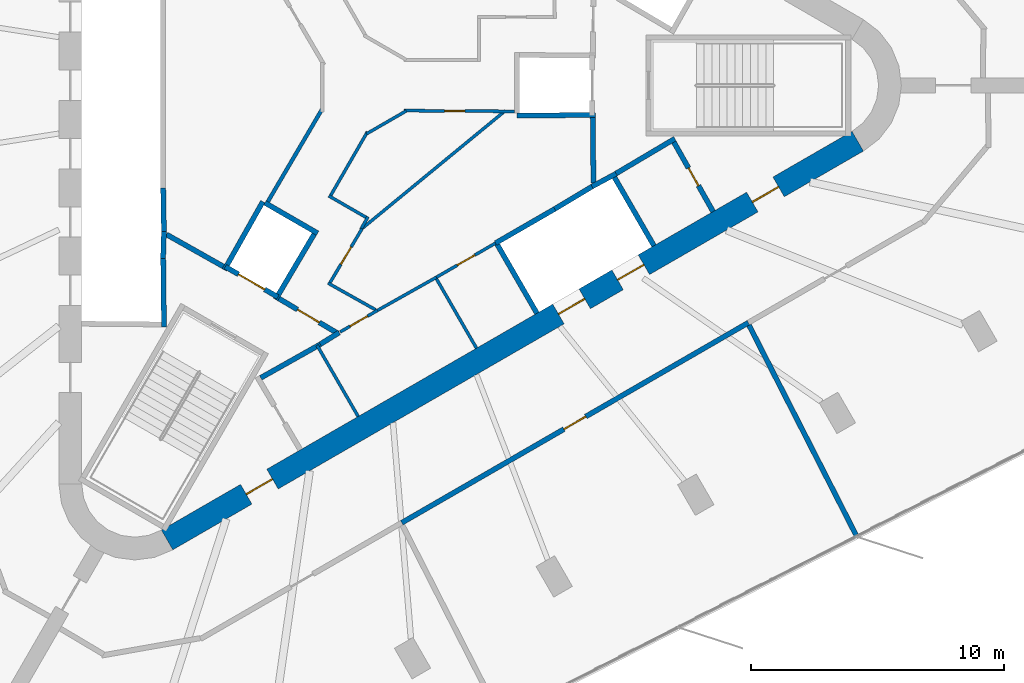
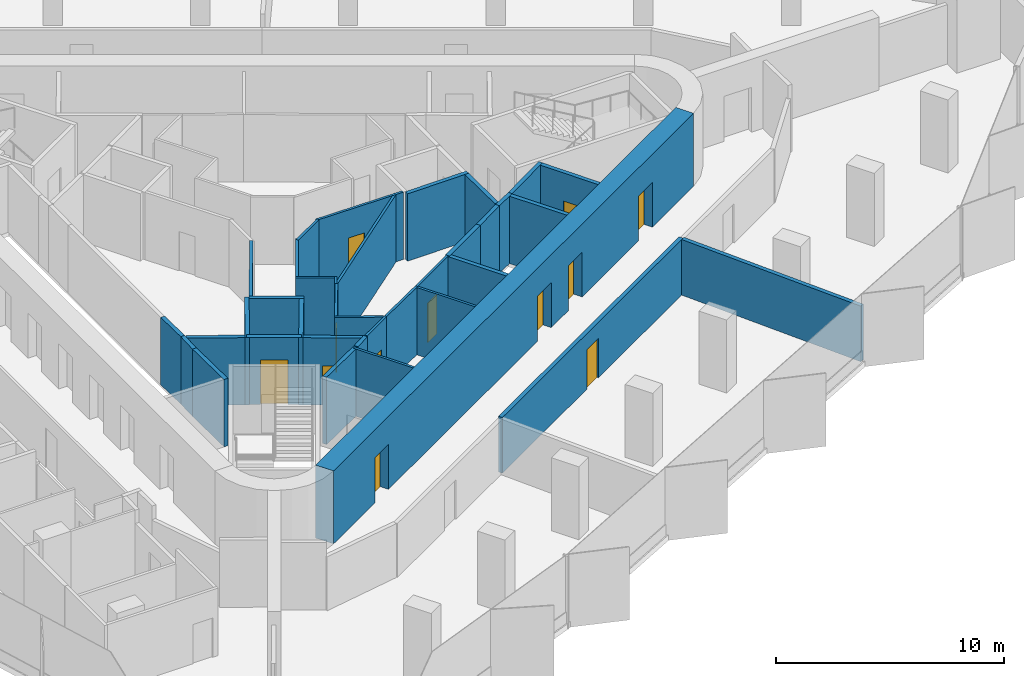
# One storey, part 9 of 13: 37 walls, 12 doors, 12 openings.
"""IFC4 building model written with IfcOpenShell, lengths in metres."""

import ifcopenshell
import ifcopenshell.guid

model = None  # the IFC model being written
_history = None  # IfcOwnerHistory: only IFC2X3 demands one
_inside = {}  # id of a spatial element -> (the spatial element, [elements in it])
_under = {}  # id of a project, library or spatial element -> (it, [spatial elements below it])
_declared = {}  # id of a project -> (the project, [libraries it declares])
_typed = {}  # id of a type object -> (the type object, [elements of that type])
_made_of = {}  # id of a material, layer set ... -> (it, [elements and type objects made of it])


def new_model(schema):
    """Start an empty IFC model of exactly this schema.

    Asked for "IFC4X3", IfcOpenShell would pick the latest addendum, in which some entities
    have other attributes; the version numbers below select the first issue.
    IFC2X3 requires an IfcOwnerHistory on every rooted entity: one is made here for all.
    """
    global model, _history
    if schema == "IFC4X3":
        model = ifcopenshell.file(schema_version=(4, 3, 0, 0))
    else:
        model = ifcopenshell.file(schema=schema)
    _inside.clear()
    _under.clear()
    _declared.clear()
    _typed.clear()
    _made_of.clear()
    _history = None
    if model.schema == "IFC2X3":
        org = make("IfcOrganization", Name="unknown")
        user = make(
            "IfcPersonAndOrganization",
            ThePerson=make("IfcPerson", FamilyName="unknown"),
            TheOrganization=org,
        )
        app = make(
            "IfcApplication",
            ApplicationDeveloper=org,
            Version="unknown",
            ApplicationFullName="unknown",
            ApplicationIdentifier="unknown",
        )
        _history = make(
            "IfcOwnerHistory",
            OwningUser=user,
            OwningApplication=app,
            ChangeAction="ADDED",
            CreationDate=0,
        )
    return model


def make(cls, **values):
    """One entity of the class cls with the attributes given. An attribute that is None is left unset."""
    return model.create_entity(
        cls, **{name: value for name, value in values.items() if value is not None}
    )


def rooted(cls, **values):
    """An entity with a GlobalId (a new one), such as an element, a storey or a relation."""
    return make(cls, GlobalId=ifcopenshell.guid.new(), OwnerHistory=_history, **values)


def si_unit(unit_type, name, prefix=None):
    """IfcSIUnit, for example si_unit("LENGTHUNIT", "METRE", prefix="MILLI")."""
    return make("IfcSIUnit", UnitType=unit_type, Prefix=prefix, Name=name)


def assignment(units):
    """IfcUnitAssignment: the units of a project."""
    return None if units is None else make("IfcUnitAssignment", Units=units)


def point(xyz):
    """IfcCartesianPoint."""
    return None if xyz is None else make("IfcCartesianPoint", Coordinates=xyz)


def direction(xyz):
    """IfcDirection."""
    return None if xyz is None else make("IfcDirection", DirectionRatios=xyz)


def frame(location, z_axis=None, x_axis=None):
    """IfcAxis2Placement3D, a coordinate frame: its origin and axes. An axis left out is left unset."""
    return make(
        "IfcAxis2Placement3D",
        Location=point(location),
        Axis=direction(z_axis),
        RefDirection=direction(x_axis),
    )


def frame_2d(location, x_axis=None):
    """IfcAxis2Placement2D, a coordinate frame in the plane: its origin and x axis."""
    return make(
        "IfcAxis2Placement2D", Location=point(location), RefDirection=direction(x_axis)
    )


def origin():
    """The frame at (0, 0, 0) with its axes left unset."""
    return frame((0.0, 0.0, 0.0))


def place(relative_to, where):
    """IfcLocalPlacement: puts the frame where relative to a parent placement (None: the world)."""
    return make(
        "IfcLocalPlacement", PlacementRelTo=relative_to, RelativePlacement=where
    )


def context(
    kind, dimensions, precision=None, world=None, true_north=None, identifier=None
):
    """IfcGeometricRepresentationContext, for example the 3D "Model" context."""
    return make(
        "IfcGeometricRepresentationContext",
        ContextIdentifier=identifier,
        ContextType=kind,
        CoordinateSpaceDimension=dimensions,
        Precision=precision,
        WorldCoordinateSystem=world,
        TrueNorth=true_north,
    )


def subcontext(parent, identifier, kind, view, scale=None):
    """IfcGeometricRepresentationSubContext, for example "Body" below "Model"."""
    return make(
        "IfcGeometricRepresentationSubContext",
        ContextIdentifier=identifier,
        ContextType=kind,
        ParentContext=parent,
        TargetScale=scale,
        TargetView=view,
    )


def project(units=None, contexts=None):
    """IfcProject with its units and contexts."""
    return rooted(
        "IfcProject",
        Name="project",
        RepresentationContexts=contexts,
        UnitsInContext=assignment(units),
    )


def spatial(cls, under=None, at=None, **own):
    """A site, building, storey or space (cls), placed at a placement, below another one or the project."""
    s = rooted(cls, ObjectPlacement=at, **own)
    if under is not None:
        _under.setdefault(under.id(), (under, []))[1].append(s)
    return s


def profile(cls, at=None, kind="AREA", **sizes):
    """A parametric profile (cls). Its sizes go by their IFC names, for example OverallWidth=200.0."""
    return make(cls, ProfileType=kind, Position=at, **sizes)


def rectangle(**sizes):
    """IfcRectangleProfileDef."""
    return profile("IfcRectangleProfileDef", **sizes)


def extrude(swept, where, along, depth):
    """IfcExtrudedAreaSolid: the profile swept, set in the frame where, extruded along a direction by depth."""
    return make(
        "IfcExtrudedAreaSolid",
        SweptArea=swept,
        Position=where,
        ExtrudedDirection=direction(along),
        Depth=depth,
    )


def shape(context_of_items, identifier, shape_type, items):
    """IfcShapeRepresentation: the items that make up one representation, for example the "Body"."""
    return make(
        "IfcShapeRepresentation",
        ContextOfItems=context_of_items,
        RepresentationIdentifier=identifier,
        RepresentationType=shape_type,
        Items=items,
    )


def material(Name=None, Category=None):
    """IfcMaterial."""
    return make("IfcMaterial", Name=Name, Category=Category)


def layer(
    of_material, thickness, ventilated=None, Name=None, Category=None, Priority=None
):
    """IfcMaterialLayer: one layer of a wall or slab, of a material (None: an air gap)."""
    return make(
        "IfcMaterialLayer",
        Material=of_material,
        LayerThickness=thickness,
        IsVentilated=ventilated,
        Name=Name,
        Category=Category,
        Priority=Priority,
    )


def layer_set(layers, Name=None):
    """IfcMaterialLayerSet."""
    return make("IfcMaterialLayerSet", MaterialLayers=layers, LayerSetName=Name)


def made_of(thing, what):
    """Note that an element or type object is made of a material, layer set ...; save() writes the relation."""
    if what is not None:
        _made_of.setdefault(what.id(), (what, []))[1].append(thing)
    return thing


def type_object(cls, material=None, **own):
    """A type object (cls), such as IfcWallType, which elements share."""
    return made_of(rooted(cls, **own), material)


def element(
    cls,
    number,
    at=None,
    inside=None,
    cuts=None,
    type_object=None,
    material=None,
    context=None,
    identifier="Body",
    shape_type=None,
    held_by="IfcProductDefinitionShape",
    body=None,
    shapes=None,
    **own,
):
    """One element of the class cls, such as IfcWall. Its Tag is "e" and its number.

    at: its placement. inside: the storey or other place that contains it. cuts: it is an
    opening in that element (IfcRelVoidsElement). A single representation is given by context,
    identifier, shape_type and body (its items); several are given by shapes. held_by: the class
    of the entity that holds the representations. save() writes the other relations.
    """
    e = rooted(cls, Tag="e%d" % number, ObjectPlacement=at, **own)
    if body is not None:
        shapes = [shape(context, identifier, shape_type, body)]
    if shapes is not None:
        e.Representation = make(held_by, Representations=shapes)
    if inside is not None:
        _inside.setdefault(inside.id(), (inside, []))[1].append(e)
    if cuts is not None:
        rooted(
            "IfcRelVoidsElement", RelatingBuildingElement=cuts, RelatedOpeningElement=e
        )
    if type_object is not None:
        _typed.setdefault(type_object.id(), (type_object, []))[1].append(e)
    return made_of(e, material)


def fill(opening, filler):
    """IfcRelFillsElement: the door or window that sits in an opening."""
    return rooted(
        "IfcRelFillsElement",
        RelatingOpeningElement=opening,
        RelatedBuildingElement=filler,
    )


def aggregate(whole, parts):
    """IfcRelAggregates: a whole, such as a stair, and the parts it consists of."""
    return rooted("IfcRelAggregates", RelatingObject=whole, RelatedObjects=parts)


def save(model, path):
    """Write the relations noted so far, then the file.

    IfcRelAggregates (storeys below a building ...), IfcRelContainedInSpatialStructure (elements
    in a storey), IfcRelDefinesByType, IfcRelAssociatesMaterial and IfcRelDeclares: one each for
    every whole, place, type object, material and project.
    """
    for whole, parts in _under.values():
        aggregate(whole, parts)
    for where, things in _inside.values():
        rooted(
            "IfcRelContainedInSpatialStructure",
            RelatedElements=things,
            RelatingStructure=where,
        )
    for kind, things in _typed.values():
        rooted("IfcRelDefinesByType", RelatedObjects=things, RelatingType=kind)
    for what, things in _made_of.values():
        rooted("IfcRelAssociatesMaterial", RelatedObjects=things, RelatingMaterial=what)
    for by, libraries in _declared.values():
        rooted("IfcRelDeclares", RelatingContext=by, RelatedDefinitions=libraries)
    model.write(path)


model = new_model("IFC4")

# Units and contexts
model_context = context("Model", 3, precision=1e-05, world=origin(), true_north=direction((0.0, 1.0)))
body_context = subcontext(model_context, "Body", "Model", "MODEL_VIEW")
ifc_project = project(units=[si_unit("LENGTHUNIT", "METRE"), si_unit("AREAUNIT", "SQUARE_METRE"), si_unit("VOLUMEUNIT", "CUBIC_METRE"), si_unit("PLANEANGLEUNIT", "RADIAN"), si_unit("MASSUNIT", "GRAM", prefix="KILO")], contexts=[model_context])

# Site, building, storey
site_placement = place(None, origin())
site = spatial("IfcSite", under=ifc_project, at=site_placement, CompositionType="ELEMENT")
building_placement = place(site_placement, origin())
building = spatial("IfcBuilding", under=site, at=building_placement, Name="Tanit Gate Tower", CompositionType="ELEMENT")
storey_placement = place(building_placement, frame((0.0, 0.0, 318.199951171875)))
storey = spatial("IfcBuildingStorey", under=building, at=storey_placement, Name="L71", CompositionType="ELEMENT", Elevation=318.199951171875)

# Wall, openings, doors
ifc_material_1 = material(Name="Concrete C40/50", Category="concrete")
ifc_layer_1 = layer(ifc_material_1, 0.89990234375)
ifc_layer_set_1 = layer_set([ifc_layer_1], Name="CORE WALL 900 C40/50")
wall_type_1 = type_object("IfcWallType", Name="CORE WALL 900 C40/50", PredefinedType="SHEAR", material=ifc_layer_set_1)
wall_1_placement = place(storey_placement, frame((-7.824951171875, -17.969970703125, 0.0), z_axis=(0.0, 0.0, 1.0), x_axis=(0.866028369851, 0.499994862586, 0.0)))
wall_1 = element("IfcWall", 1, at=wall_1_placement, inside=storey, type_object=wall_type_1, Name="CORE WALL", PredefinedType="SHEAR", context=body_context, shape_type="SweptSolid", body=[
    extrude(rectangle(XDim=31.523193359375, YDim=0.89990234375, at=frame_2d((15.76171875, 0.0))), origin(), (0.0, 0.0, 1.0), 3.900146484375),
])
opening_1_placement = place(wall_1_placement, frame((17.861572265625, 0.0, 0.0)))
opening_1 = element("IfcOpeningElement", 2, at=opening_1_placement, cuts=wall_1, Name="Opening LDSV1-S19", PredefinedType="OPENING", context=body_context, shape_type="SweptSolid", body=[
    extrude(rectangle(XDim=1.199951171875, YDim=2.39990234375, at=frame_2d((0.60009765625, 1.199951171875))), frame((0.0, 0.4599609375, 0.0), z_axis=(0.0, -1.0, 0.0), x_axis=(1.0, 0.0, 0.0)), (0.0, 0.0, 1.0), 0.919921875),
])
opening_2_placement = place(wall_1_placement, frame((20.561767578125, 0.0, 0.0)))
opening_2 = element("IfcOpeningElement", 3, at=opening_2_placement, cuts=wall_1, Name="Opening LDSV2-S19", PredefinedType="OPENING", context=body_context, shape_type="SweptSolid", body=[
    extrude(rectangle(XDim=1.199951171875, YDim=2.39990234375, at=frame_2d((0.60009765625, 1.199951171875))), frame((0.0, 0.4599609375, 0.0), z_axis=(0.0, -1.0, 0.0), x_axis=(1.0, 0.0, 0.0)), (0.0, 0.0, 1.0), 0.919921875),
])
opening_3_placement = place(wall_1_placement, frame((26.711669921875, 0.0, 0.0)))
opening_3 = element("IfcOpeningElement", 4, at=opening_3_placement, cuts=wall_1, Name="Opening F12-S19-S1", PredefinedType="OPENING", context=body_context, shape_type="SweptSolid", body=[
    extrude(rectangle(XDim=1.199951171875, YDim=2.39990234375, at=frame_2d((0.60009765625, 1.199951171875))), frame((0.0, 0.4599609375, 0.0), z_axis=(0.0, -1.0, 0.0), x_axis=(1.0, 0.0, 0.0)), (0.0, 0.0, 1.0), 0.919921875),
])
opening_4_placement = place(wall_1_placement, frame((3.611572265625, 0.0, 0.0)))
opening_4 = element("IfcOpeningElement", 5, at=opening_4_placement, cuts=wall_1, Name="Opening F12-S19-FL3", PredefinedType="OPENING", context=body_context, shape_type="SweptSolid", body=[
    extrude(rectangle(XDim=1.199951171875, YDim=2.39990234375, at=frame_2d((0.60009765625, 1.199951171875))), frame((0.0, 0.4599609375, 0.0), z_axis=(0.0, -1.0, 0.0), x_axis=(1.0, 0.0, 0.0)), (0.0, 0.0, 1.0), 0.919921875),
])
ifc_material_2 = material(Name="Fire-rated steel door leaf", Category="steel")
door_type_1 = type_object("IfcDoorType", Name="INT-DOOR-FIRE-LOBBY-1200", OperationType="NOTDEFINED", PredefinedType="USERDEFINED", material=ifc_material_2)
door_1_placement = place(opening_3_placement, origin())
door_1 = element("IfcDoor", 6, at=door_1_placement, inside=storey, type_object=door_type_1, Name="Door F12-S19-S1", ObjectType="FIRE DOOR", OperationType="SINGLE_SWING_LEFT", OverallHeight=2.39990234375, OverallWidth=1.199951171875, PredefinedType="USERDEFINED", context=body_context, shape_type="SweptSolid", body=[
    extrude(rectangle(XDim=1.199951171875, YDim=2.39990234375, at=frame_2d((0.60009765625, 1.199951171875))), frame((0.0, 0.02490234375, 0.0), z_axis=(0.0, -1.0, 0.0), x_axis=(1.0, 0.0, 0.0)), (0.0, 0.0, 1.0), 0.050048828125),
])
fill(opening_3, door_1)
door_2_placement = place(opening_4_placement, origin())
door_2 = element("IfcDoor", 7, at=door_2_placement, inside=storey, type_object=door_type_1, Name="Door F12-S19-FL3", ObjectType="FIRE DOOR", OperationType="SINGLE_SWING_LEFT", OverallHeight=2.39990234375, OverallWidth=1.199951171875, PredefinedType="USERDEFINED", context=body_context, shape_type="SweptSolid", body=[
    extrude(rectangle(XDim=1.199951171875, YDim=2.39990234375, at=frame_2d((0.60009765625, 1.199951171875))), frame((0.0, 0.02490234375, 0.0), z_axis=(0.0, -1.0, 0.0), x_axis=(1.0, 0.0, 0.0)), (0.0, 0.0, 1.0), 0.050048828125),
])
fill(opening_4, door_2)
ifc_material_3 = material(Name="Stainless steel sliding door leaf", Category="steel")
door_type_2 = type_object("IfcDoorType", Name="INT-DOOR-LANDING-1200", OperationType="NOTDEFINED", PredefinedType="USERDEFINED", material=ifc_material_3)
door_3_placement = place(opening_1_placement, origin())
door_3 = element("IfcDoor", 8, at=door_3_placement, inside=storey, type_object=door_type_2, Name="Door LDSV1-S19", ObjectType="LANDING DOOR", OperationType="SLIDING_TO_LEFT", OverallHeight=2.39990234375, OverallWidth=1.199951171875, PredefinedType="USERDEFINED", context=body_context, shape_type="SweptSolid", body=[
    extrude(rectangle(XDim=1.199951171875, YDim=2.39990234375, at=frame_2d((0.60009765625, 1.199951171875))), frame((0.0, 0.02490234375, 0.0), z_axis=(0.0, -1.0, 0.0), x_axis=(1.0, 0.0, 0.0)), (0.0, 0.0, 1.0), 0.050048828125),
])
fill(opening_1, door_3)
door_4_placement = place(opening_2_placement, origin())
door_4 = element("IfcDoor", 9, at=door_4_placement, inside=storey, type_object=door_type_2, Name="Door LDSV2-S19", ObjectType="LANDING DOOR", OperationType="SLIDING_TO_LEFT", OverallHeight=2.39990234375, OverallWidth=1.199951171875, PredefinedType="USERDEFINED", context=body_context, shape_type="SweptSolid", body=[
    extrude(rectangle(XDim=1.199951171875, YDim=2.39990234375, at=frame_2d((0.60009765625, 1.199951171875))), frame((0.0, 0.02490234375, 0.0), z_axis=(0.0, -1.0, 0.0), x_axis=(1.0, 0.0, 0.0)), (0.0, 0.0, 1.0), 0.050048828125),
])
fill(opening_2, door_4)

# Walls
ifc_material_4 = material(Name="Fire-rated gypsum board partition")
ifc_layer_2 = layer(ifc_material_4, 0.199951171875)
ifc_layer_set_2 = layer_set([ifc_layer_2], Name="INT-WALL-COMPARTMENT")
wall_type_2 = type_object("IfcWallType", Name="INT-WALL-COMPARTMENT", PredefinedType="PARTITIONING", material=ifc_layer_set_2)
wall_2_placement = place(storey_placement, frame((-1.7685546875, -10.23681640625, 0.0), z_axis=(0.0, 0.0, 1.0), x_axis=(-0.871534483978, -0.490334215854, 0.0)))
element("IfcWall", 10, at=wall_2_placement, inside=storey, type_object=wall_type_2, Name="Wall Compartment W054", PredefinedType="PARTITIONING", context=body_context, shape_type="SweptSolid", body=[
    extrude(rectangle(XDim=2.7001953125, YDim=0.199951171875, at=frame_2d((1.35009765625, 0.0))), origin(), (0.0, 0.0, 1.0), 3.60009765625),
])
wall_3_placement = place(storey_placement, frame((-1.02392578125, -9.77099609375, 0.0), z_axis=(0.0, 0.0, 1.0), x_axis=(-0.850348075135, -0.526220629693, 0.0)))
element("IfcWall", 11, at=wall_3_placement, inside=storey, type_object=wall_type_2, Name="Wall Compartment W056", PredefinedType="PARTITIONING", context=body_context, shape_type="SweptSolid", body=[
    extrude(rectangle(XDim=0.878173828125, YDim=0.199951171875, at=frame_2d((0.43896484375, 0.0))), origin(), (0.0, 0.0, 1.0), 3.60009765625),
])
wall_4_placement = place(storey_placement, frame((12.244873046875, -2.10888671875, 0.0), z_axis=(0.0, 0.0, 1.0), x_axis=(-0.860414880418, -0.509594185166, 0.0)))
element("IfcWall", 12, at=wall_4_placement, inside=storey, type_object=wall_type_2, Name="Wall Compartment W060", PredefinedType="PARTITIONING", context=body_context, shape_type="SweptSolid", body=[
    extrude(rectangle(XDim=2.7001953125, YDim=0.199951171875, at=frame_2d((1.35009765625, 0.0))), origin(), (0.0, 0.0, 1.0), 3.60009765625),
])

# Wall, opening, door
wall_5_placement = place(storey_placement, frame((13.758056640625, -4.989501953125, 0.0), z_axis=(0.0, 0.0, 1.0), x_axis=(-0.491993409184, 0.87059892334, 0.0)))
wall_5 = element("IfcWall", 13, at=wall_5_placement, inside=storey, type_object=wall_type_2, Name="Wall Compartment W061", PredefinedType="PARTITIONING", context=body_context, shape_type="SweptSolid", body=[
    extrude(rectangle(XDim=3.150146484375, YDim=0.199951171875, at=frame_2d((1.5751953125, 0.0))), origin(), (0.0, 0.0, 1.0), 3.60009765625),
])
opening_5_placement = place(wall_5_placement, frame((1.175048828125, 0.0, 0.0)))
opening_5 = element("IfcOpeningElement", 14, at=opening_5_placement, cuts=wall_5, Name="Opening R08-S19-19", PredefinedType="OPENING", context=body_context, shape_type="SweptSolid", body=[
    extrude(rectangle(XDim=0.800048828125, YDim=2.10009765625, at=frame_2d((0.39990234375, 1.050048828125))), frame((0.0, 0.10986328125, 0.0), z_axis=(0.0, -1.0, 0.0), x_axis=(1.0, 0.0, 0.0)), (0.0, 0.0, 1.0), 0.219970703125),
])
ifc_material_5 = material(Name="Timber door leaf", Category="wood")
door_type_3 = type_object("IfcDoorType", Name="INT-DOOR-RISER-800", OperationType="NOTDEFINED", PredefinedType="USERDEFINED", material=ifc_material_5)
door_5_placement = place(opening_5_placement, origin())
door_5 = element("IfcDoor", 15, at=door_5_placement, inside=storey, type_object=door_type_3, Name="Door R08-S19-19", ObjectType="FIRE DOOR", OperationType="SINGLE_SWING_LEFT", OverallHeight=2.10009765625, OverallWidth=0.800048828125, PredefinedType="USERDEFINED", context=body_context, shape_type="SweptSolid", body=[
    extrude(rectangle(XDim=0.800048828125, YDim=2.10009765625, at=frame_2d((0.39990234375, 1.050048828125))), frame((0.0, 0.02490234375, 0.0), z_axis=(0.0, -1.0, 0.0), x_axis=(1.0, 0.0, 0.0)), (0.0, 0.0, 1.0), 0.050048828125),
])
fill(opening_5, door_5)

# Walls
for number, where, z_axis, x_axis, name in (
    (16, (9.02880859375, -3.8505859375, 0.0), (0.0, 0.0, 1.0), (-0.010784614026, 0.999941844359, 0.0), "Wall Compartment W062"),
    (17, (-7.84912109375, -5.893798828125, 0.0), (0.0, 0.0, 1.0), (0.871340486379, -0.490678873396, 0.0), "Wall Compartment W066"),
):
    element("IfcWall", number, at=place(storey_placement, frame(where, z_axis=z_axis, x_axis=x_axis)), inside=storey, type_object=wall_type_2, Name=name, PredefinedType="PARTITIONING", context=body_context, shape_type="SweptSolid", body=[
        extrude(rectangle(XDim=2.580810546875, YDim=0.199951171875, at=frame_2d((1.29052734375, 0.0))), origin(), (0.0, 0.0, 1.0), 3.60009765625),
    ])

# Wall, opening, door
wall_6_placement = place(storey_placement, frame((-3.400634765625, -8.43017578125, 0.0), z_axis=(0.0, 0.0, 1.0), x_axis=(0.860617791406, -0.509251428192, 0.0)))
wall_6 = element("IfcWall", 18, at=wall_6_placement, inside=storey, type_object=wall_type_2, Name="Wall Compartment W067", PredefinedType="PARTITIONING", context=body_context, shape_type="SweptSolid", body=[
    extrude(rectangle(XDim=2.709228515625, YDim=0.199951171875, at=frame_2d((1.3544921875, 0.0))), origin(), (0.0, 0.0, 1.0), 3.60009765625),
])
opening_6_placement = place(wall_6_placement, frame((0.848388671875, 0.0, 0.0)))
opening_6 = element("IfcOpeningElement", 19, at=opening_6_placement, cuts=wall_6, Name="Opening F10-S19-08", PredefinedType="OPENING", context=body_context, shape_type="SweptSolid", body=[
    extrude(rectangle(XDim=1.0, YDim=2.10009765625, at=frame_2d((0.5, 1.050048828125))), frame((0.0, 0.10986328125, 0.0), z_axis=(0.0, -1.0, 0.0), x_axis=(1.0, 0.0, 0.0)), (0.0, 0.0, 1.0), 0.219970703125),
])
ifc_material_6 = material(Name="Fire-rated steel door leaf", Category="steel")
door_type_4 = type_object("IfcDoorType", Name="INT-DOOR-FIRE-1000", OperationType="NOTDEFINED", PredefinedType="USERDEFINED", material=ifc_material_6)
door_6_placement = place(opening_6_placement, origin())
door_6 = element("IfcDoor", 20, at=door_6_placement, inside=storey, type_object=door_type_4, Name="Door F10-S19-08", ObjectType="FIRE DOOR", OperationType="SINGLE_SWING_LEFT", OverallHeight=2.10009765625, OverallWidth=1.0, PredefinedType="USERDEFINED", context=body_context, shape_type="SweptSolid", body=[
    extrude(rectangle(XDim=1.0, YDim=2.10009765625, at=frame_2d((0.5, 1.050048828125))), frame((0.0, 0.02490234375, 0.0), z_axis=(0.0, -1.0, 0.0), x_axis=(1.0, 0.0, 0.0)), (0.0, 0.0, 1.0), 0.050048828125),
])
fill(opening_6, door_6)

wall_7_placement = place(storey_placement, frame((1.451416015625, -17.290771484375, 0.0), z_axis=(0.0, 0.0, 1.0), x_axis=(0.866027540469, 0.499996299136, 0.0)))
wall_7 = element("IfcWall", 21, at=wall_7_placement, inside=storey, type_object=wall_type_2, Name="Wall Compartment W113", PredefinedType="PARTITIONING", context=body_context, shape_type="SweptSolid", body=[
    extrude(rectangle(XDim=15.8203125, YDim=0.199951171875, at=frame_2d((7.91015625, 0.0))), origin(), (0.0, 0.0, 1.0), 2.969970703125),
])
opening_7_placement = place(wall_7_placement, frame((7.398681640625, 0.0, 0.0)))
opening_7 = element("IfcOpeningElement", 22, at=opening_7_placement, cuts=wall_7, Name="Opening F10-S19-31", PredefinedType="OPENING", context=body_context, shape_type="SweptSolid", body=[
    extrude(rectangle(XDim=1.0, YDim=2.10009765625, at=frame_2d((0.5, 1.050048828125))), frame((0.0, 0.10986328125, 0.0), z_axis=(0.0, -1.0, 0.0), x_axis=(1.0, 0.0, 0.0)), (0.0, 0.0, 1.0), 0.219970703125),
])
door_7_placement = place(opening_7_placement, origin())
door_7 = element("IfcDoor", 23, at=door_7_placement, inside=storey, type_object=door_type_4, Name="Door F10-S19-31", ObjectType="FIRE DOOR", OperationType="SINGLE_SWING_LEFT", OverallHeight=2.10009765625, OverallWidth=1.0, PredefinedType="USERDEFINED", context=body_context, shape_type="SweptSolid", body=[
    extrude(rectangle(XDim=1.0, YDim=2.10009765625, at=frame_2d((0.5, 1.050048828125))), frame((0.0, 0.02490234375, 0.0), z_axis=(0.0, -1.0, 0.0), x_axis=(1.0, 0.0, 0.0)), (0.0, 0.0, 1.0), 0.050048828125),
])
fill(opening_7, door_7)

# Walls
wall_8_placement = place(storey_placement, frame((15.177978515625, -9.481201171875, 0.0), z_axis=(0.0, 0.0, 1.0), x_axis=(0.454314491878, -0.890841367736, 0.0)))
element("IfcWall", 24, at=wall_8_placement, inside=storey, type_object=wall_type_2, Name="Wall Compartment W135", PredefinedType="PARTITIONING", context=body_context, shape_type="SweptSolid", body=[
    extrude(rectangle(XDim=9.360595703125, YDim=0.199951171875, at=frame_2d((4.68017578125, 0.0))), origin(), (0.0, 0.0, 1.0), 2.969970703125),
])
ifc_material_7 = material(Name="Gypsum board partition")
ifc_layer_3 = layer(ifc_material_7, 0.1201171875)
ifc_layer_set_3 = layer_set([ifc_layer_3], Name="INT-WALL-PARTITION")
wall_type_3 = type_object("IfcWallType", Name="INT-WALL-PARTITION", PredefinedType="PARTITIONING", material=ifc_layer_set_3)
for number, where, z_axis, x_axis, name in (
    (25, (-1.896728515625, -10.27490234375, 0.0), (0.0, 0.0, 1.0), (0.499984717929, -0.866034226713, 0.0), "Wall Partition W052"),
    (26, (4.40478515625, -10.389404296875, 0.0), (0.0, 0.0, 1.0), (-0.500017246033, 0.866015446554, 0.0), "Wall Partition W055"),
):
    element("IfcWall", number, at=place(storey_placement, frame(where, z_axis=z_axis, x_axis=x_axis)), inside=storey, type_object=wall_type_3, Name=name, PredefinedType="PARTITIONING", context=body_context, shape_type="SweptSolid", body=[
        extrude(rectangle(XDim=3.25, YDim=0.1201171875, at=frame_2d((1.625, 0.0))), origin(), (0.0, 0.0, 1.0), 3.60009765625),
    ])
wall_9_placement = place(storey_placement, frame((0.493896484375, -8.895751953125, 0.0), z_axis=(0.0, 0.0, 1.0), x_axis=(0.871426548871, 0.490526013503, 0.0)))
element("IfcWall", 27, at=wall_9_placement, inside=storey, type_object=wall_type_3, Name="Wall Partition W057", PredefinedType="PARTITIONING", context=body_context, shape_type="SweptSolid", body=[
    extrude(rectangle(XDim=2.670166015625, YDim=0.1201171875, at=frame_2d((1.3349609375, 0.0))), origin(), (0.0, 0.0, 1.0), 3.60009765625),
])

# Wall, opening, door
wall_10_placement = place(storey_placement, frame((0.493408203125, -8.89501953125, 0.0), z_axis=(0.0, 0.0, 1.0), x_axis=(-0.866027945518, -0.499995597562, 0.0)))
wall_10 = element("IfcWall", 28, at=wall_10_placement, inside=storey, type_object=wall_type_3, Name="Wall Partition W058", PredefinedType="PARTITIONING", context=body_context, shape_type="SweptSolid", body=[
    extrude(rectangle(XDim=1.7021484375, YDim=0.1201171875, at=frame_2d((0.85107421875, 0.0))), origin(), (0.0, 0.0, 1.0), 3.60009765625),
])
opening_8_placement = place(wall_10_placement, frame((0.461181640625, 0.0, 0.0)))
opening_8 = element("IfcOpeningElement", 29, at=opening_8_placement, cuts=wall_10, Name="Opening R08-S19-17", PredefinedType="OPENING", context=body_context, shape_type="SweptSolid", body=[
    extrude(rectangle(XDim=0.800048828125, YDim=2.10009765625, at=frame_2d((0.39990234375, 1.050048828125))), frame((0.0, 0.070068359375, 0.0), z_axis=(0.0, -1.0, 0.0), x_axis=(1.0, 0.0, 0.0)), (0.0, 0.0, 1.0), 0.14013671875),
])
door_8_placement = place(opening_8_placement, origin())
door_8 = element("IfcDoor", 30, at=door_8_placement, inside=storey, type_object=door_type_3, Name="Door R08-S19-17", ObjectType="FIRE DOOR", OperationType="SINGLE_SWING_LEFT", OverallHeight=2.10009765625, OverallWidth=0.800048828125, PredefinedType="USERDEFINED", context=body_context, shape_type="SweptSolid", body=[
    extrude(rectangle(XDim=0.800048828125, YDim=2.10009765625, at=frame_2d((0.39990234375, 1.050048828125))), frame((0.0, 0.02490234375, 0.0), z_axis=(0.0, -1.0, 0.0), x_axis=(1.0, 0.0, 0.0)), (0.0, 0.0, 1.0), 0.050048828125),
])
fill(opening_8, door_8)

wall_11_placement = place(storey_placement, frame((2.82080078125, -7.5859375, 0.0), z_axis=(0.0, 0.0, 1.0), x_axis=(0.866019956843, 0.50000943426, 0.0)))
wall_11 = element("IfcWall", 31, at=wall_11_placement, inside=storey, type_object=wall_type_3, Name="Wall Partition W059", PredefinedType="PARTITIONING", context=body_context, shape_type="SweptSolid", body=[
    extrude(rectangle(XDim=2.7001953125, YDim=0.1201171875, at=frame_2d((1.35009765625, 0.0))), origin(), (0.0, 0.0, 1.0), 3.60009765625),
])
opening_9_placement = place(wall_11_placement, frame((0.949951171875, 0.0, 0.0)))
opening_9 = element("IfcOpeningElement", 32, at=opening_9_placement, cuts=wall_11, Name="Opening R08-S19-18", PredefinedType="OPENING", context=body_context, shape_type="SweptSolid", body=[
    extrude(rectangle(XDim=0.800048828125, YDim=2.10009765625, at=frame_2d((0.39990234375, 1.050048828125))), frame((0.0, 0.070068359375, 0.0), z_axis=(0.0, -1.0, 0.0), x_axis=(1.0, 0.0, 0.0)), (0.0, 0.0, 1.0), 0.14013671875),
])
door_9_placement = place(opening_9_placement, origin())
door_9 = element("IfcDoor", 33, at=door_9_placement, inside=storey, type_object=door_type_3, Name="Door R08-S19-18", ObjectType="FIRE DOOR", OperationType="SINGLE_SWING_RIGHT", OverallHeight=2.10009765625, OverallWidth=0.800048828125, PredefinedType="USERDEFINED", context=body_context, shape_type="SweptSolid", body=[
    extrude(rectangle(XDim=0.800048828125, YDim=2.10009765625, at=frame_2d((0.39990234375, 1.050048828125))), frame((0.0, 0.02490234375, 0.0), z_axis=(0.0, -1.0, 0.0), x_axis=(1.0, 0.0, 0.0)), (0.0, 0.0, 1.0), 0.050048828125),
])
fill(opening_9, door_9)

# Walls
wall_12_placement = place(storey_placement, frame((5.5478515625, -1.0, 0.0), z_axis=(0.0, 0.0, 1.0), x_axis=(-0.772345431507, -0.635202750648, 0.0)))
element("IfcWall", 34, at=wall_12_placement, inside=storey, type_object=wall_type_3, Name="Wall Partition W071", PredefinedType="PARTITIONING", context=body_context, shape_type="SweptSolid", body=[
    extrude(rectangle(XDim=7.41455078125, YDim=0.1201171875, at=frame_2d((3.707275390625, 0.0))), origin(), (0.0, 0.0, 1.0), 3.60009765625),
])
wall_13_placement = place(storey_placement, frame((-1.464111328125, -7.81591796875, 0.0), z_axis=(0.0, 0.0, 1.0), x_axis=(0.871859859416, -0.489755434416, 0.0)))
element("IfcWall", 35, at=wall_13_placement, inside=storey, type_object=wall_type_3, Name="Wall Partition W072", PredefinedType="PARTITIONING", context=body_context, shape_type="SweptSolid", body=[
    extrude(rectangle(XDim=2.154541015625, YDim=0.1201171875, at=frame_2d((1.0771484375, 0.0))), origin(), (0.0, 0.0, 1.0), 3.60009765625),
])

# Wall, opening, door
wall_14_placement = place(storey_placement, frame((-0.118896484375, -5.664306640625, 0.0), z_axis=(0.0, 0.0, 1.0), x_axis=(-0.509948384343, -0.860205001907, 0.0)))
wall_14 = element("IfcWall", 36, at=wall_14_placement, inside=storey, type_object=wall_type_3, Name="Wall Partition W073", PredefinedType="PARTITIONING", context=body_context, shape_type="SweptSolid", body=[
    extrude(rectangle(XDim=2.47509765625, YDim=0.1201171875, at=frame_2d((1.237548828125, 0.0))), origin(), (0.0, 0.0, 1.0), 3.60009765625),
])
opening_10_placement = place(wall_14_placement, frame((0.837646484375, 0.0, 0.0)))
opening_10 = element("IfcOpeningElement", 37, at=opening_10_placement, cuts=wall_14, Name="Opening R08-S19-11", PredefinedType="OPENING", context=body_context, shape_type="SweptSolid", body=[
    extrude(rectangle(XDim=0.800048828125, YDim=2.10009765625, at=frame_2d((0.39990234375, 1.050048828125))), frame((0.0, 0.070068359375, 0.0), z_axis=(0.0, -1.0, 0.0), x_axis=(1.0, 0.0, 0.0)), (0.0, 0.0, 1.0), 0.14013671875),
])
door_10_placement = place(opening_10_placement, origin())
door_10 = element("IfcDoor", 38, at=door_10_placement, inside=storey, type_object=door_type_3, Name="Door R08-S19-11", ObjectType="FIRE DOOR", OperationType="SINGLE_SWING_LEFT", OverallHeight=2.10009765625, OverallWidth=0.800048828125, PredefinedType="USERDEFINED", context=body_context, shape_type="SweptSolid", body=[
    extrude(rectangle(XDim=0.800048828125, YDim=2.10009765625, at=frame_2d((0.39990234375, 1.050048828125))), frame((0.0, 0.02490234375, 0.0), z_axis=(0.0, -1.0, 0.0), x_axis=(1.0, 0.0, 0.0)), (0.0, 0.0, 1.0), 0.050048828125),
])
fill(opening_10, door_10)

wall_15_placement = place(storey_placement, frame((5.89990234375, -1.02880859375, 0.0), z_axis=(0.0, 0.0, 1.0), x_axis=(-0.999977012451, 0.006780454946, 0.0)))
wall_15 = element("IfcWall", 39, at=wall_15_placement, inside=storey, type_object=wall_type_3, Name="Wall Partition W074", PredefinedType="PARTITIONING", context=body_context, shape_type="SweptSolid", body=[
    extrude(rectangle(XDim=4.356689453125, YDim=0.1201171875, at=frame_2d((2.17822265625, 0.0))), origin(), (0.0, 0.0, 1.0), 3.60009765625),
])
opening_11_placement = place(wall_15_placement, frame((1.9541015625, 0.0, 0.0)))
opening_11 = element("IfcOpeningElement", 40, at=opening_11_placement, cuts=wall_15, Name="Opening R08-S19-12", PredefinedType="OPENING", context=body_context, shape_type="SweptSolid", body=[
    extrude(rectangle(XDim=0.800048828125, YDim=2.10009765625, at=frame_2d((0.39990234375, 1.050048828125))), frame((0.0, 0.070068359375, 0.0), z_axis=(0.0, -1.0, 0.0), x_axis=(1.0, 0.0, 0.0)), (0.0, 0.0, 1.0), 0.14013671875),
])
door_11_placement = place(opening_11_placement, origin())
door_11 = element("IfcDoor", 41, at=door_11_placement, inside=storey, type_object=door_type_3, Name="Door R08-S19-12", ObjectType="FIRE DOOR", OperationType="SINGLE_SWING_RIGHT", OverallHeight=2.10009765625, OverallWidth=0.800048828125, PredefinedType="USERDEFINED", context=body_context, shape_type="SweptSolid", body=[
    extrude(rectangle(XDim=0.800048828125, YDim=2.10009765625, at=frame_2d((0.39990234375, 1.050048828125))), frame((0.0, 0.02490234375, 0.0), z_axis=(0.0, -1.0, 0.0), x_axis=(1.0, 0.0, 0.0)), (0.0, 0.0, 1.0), 0.050048828125),
])
fill(opening_11, door_11)

# Walls
wall_16_placement = place(storey_placement, frame((-0.14404296875, -5.6494140625, 0.0), z_axis=(0.0, 0.0, 1.0), x_axis=(0.499843319224, 0.866115844577, 0.0)))
element("IfcWall", 42, at=wall_16_placement, inside=storey, type_object=wall_type_3, Name="Wall Partition W075", PredefinedType="PARTITIONING", context=body_context, shape_type="SweptSolid", body=[
    extrude(rectangle(XDim=0.524658203125, YDim=0.1201171875, at=frame_2d((0.26220703125, 0.0))), origin(), (0.0, 0.0, 1.0), 3.60009765625),
])
wall_17_placement = place(storey_placement, frame((-1.43603515625, -4.3671875, 0.0), z_axis=(0.0, 0.0, 1.0), x_axis=(0.866087547558, -0.499892348375, 0.0)))
element("IfcWall", 43, at=wall_17_placement, inside=storey, type_object=wall_type_3, Name="Wall Partition W076", PredefinedType="PARTITIONING", context=body_context, shape_type="SweptSolid", body=[
    extrude(rectangle(XDim=1.699951171875, YDim=0.1201171875, at=frame_2d((0.85009765625, 0.0))), origin(), (0.0, 0.0, 1.0), 3.60009765625),
])
wall_18_placement = place(storey_placement, frame((0.09521484375, -1.8349609375, 0.0), z_axis=(0.0, 0.0, 1.0), x_axis=(-0.499980071345, -0.866036909293, 0.0)))
element("IfcWall", 44, at=wall_18_placement, inside=storey, type_object=wall_type_3, Name="Wall Partition W077", PredefinedType="PARTITIONING", context=body_context, shape_type="SweptSolid", body=[
    extrude(rectangle(XDim=2.8984375, YDim=0.1201171875, at=frame_2d((1.44921875, 0.0))), origin(), (0.0, 0.0, 1.0), 3.60009765625),
])
wall_19_placement = place(storey_placement, frame((1.629150390625, -1.009521484375, 0.0), z_axis=(0.0, 0.0, 1.0), x_axis=(-0.866046528967, -0.499963408325, 0.0)))
element("IfcWall", 45, at=wall_19_placement, inside=storey, type_object=wall_type_3, Name="Wall Partition W078", PredefinedType="PARTITIONING", context=body_context, shape_type="SweptSolid", body=[
    extrude(rectangle(XDim=1.812744140625, YDim=0.1201171875, at=frame_2d((0.90625, 0.0))), origin(), (0.0, 0.0, 1.0), 3.60009765625),
])
ifc_material_8 = material(Name="Fire-rated gypsum board partition")
ifc_layer_4 = layer(ifc_material_8, 0.14990234375)
ifc_layer_set_4 = layer_set([ifc_layer_4], Name="INT-WALL-RISER")
wall_type_4 = type_object("IfcWallType", Name="INT-WALL-RISER", PredefinedType="PLUMBINGWALL", material=ifc_layer_set_4)
wall_20_placement = place(storey_placement, frame((-3.841064453125, -4.59521484375, 0.0), z_axis=(0.0, 0.0, 1.0), x_axis=(0.505857207696, 0.862617229959, 0.0)))
element("IfcWall", 46, at=wall_20_placement, inside=storey, type_object=wall_type_4, Name="Wall Riser W070", PredefinedType="PLUMBINGWALL", context=body_context, shape_type="SweptSolid", body=[
    extrude(rectangle(XDim=4.231201171875, YDim=0.14990234375, at=frame_2d((2.11572265625, 0.0))), origin(), (0.0, 0.0, 1.0), 3.60009765625),
])
ifc_material_9 = material(Name="Gypsum shaft wall system")
ifc_layer_5 = layer(ifc_material_9, 0.199951171875)
ifc_layer_set_5 = layer_set([ifc_layer_5], Name="INT-WALL-SHAFT")
wall_type_5 = type_object("IfcWallType", Name="INT-WALL-SHAFT", PredefinedType="PLUMBINGWALL", material=ifc_layer_set_5)
wall_21_placement = place(storey_placement, frame((-7.949951171875, -5.7724609375, 0.0), z_axis=(0.0, 0.0, 1.0), x_axis=(-0.030803413295, -0.999525462272, 0.0)))
element("IfcWall", 47, at=wall_21_placement, inside=storey, type_object=wall_type_5, Name="Wall Shaft W008", PredefinedType="PLUMBINGWALL", context=body_context, shape_type="SweptSolid", body=[
    extrude(rectangle(XDim=1.077880859375, YDim=0.199951171875, at=frame_2d((0.5390625, 0.0))), origin(), (0.0, 0.0, 1.0), 3.60009765625),
])
wall_22_placement = place(storey_placement, frame((-7.97998046875, -4.050048828125, 0.0), z_axis=(0.0, 0.0, 1.0), x_axis=(0.016809909365, -0.999858703491, 0.0)))
element("IfcWall", 48, at=wall_22_placement, inside=storey, type_object=wall_type_5, Name="Wall Shaft W009", PredefinedType="PLUMBINGWALL", context=body_context, shape_type="SweptSolid", body=[
    extrude(rectangle(XDim=1.844482421875, YDim=0.199951171875, at=frame_2d((0.92236328125, 0.0))), origin(), (0.0, 0.0, 1.0), 3.60009765625),
])
wall_23_placement = place(storey_placement, frame((-7.97900390625, -6.85009765625, 0.0), z_axis=(0.0, 0.0, 1.0), x_axis=(0.011121475088, -0.999938154483, 0.0)))
element("IfcWall", 49, at=wall_23_placement, inside=storey, type_object=wall_type_5, Name="Wall Shaft W010", PredefinedType="PLUMBINGWALL", context=body_context, shape_type="SweptSolid", body=[
    extrude(rectangle(XDim=2.7001953125, YDim=0.199951171875, at=frame_2d((1.35009765625, 0.0))), origin(), (0.0, 0.0, 1.0), 3.60009765625),
])
wall_24_placement = place(storey_placement, frame((6.795166015625, -9.009521484375, 0.0), z_axis=(0.0, 0.0, 1.0), x_axis=(-0.499984717929, 0.866034226713, 0.0)))
element("IfcWall", 50, at=wall_24_placement, inside=storey, type_object=wall_type_5, Name="Wall Shaft W015", PredefinedType="PLUMBINGWALL", context=body_context, shape_type="SweptSolid", body=[
    extrude(rectangle(XDim=3.25, YDim=0.199951171875, at=frame_2d((1.625, 0.0))), origin(), (0.0, 0.0, 1.0), 3.60009765625),
])
wall_25_placement = place(storey_placement, frame((5.1591796875, -6.23583984375, 0.0), z_axis=(0.0, 0.0, 1.0), x_axis=(0.866036505625, 0.499980770555, 0.0)))
element("IfcWall", 51, at=wall_25_placement, inside=storey, type_object=wall_type_5, Name="Wall Shaft W016", PredefinedType="PLUMBINGWALL", context=body_context, shape_type="SweptSolid", body=[
    extrude(rectangle(XDim=2.69970703125, YDim=0.199951171875, at=frame_2d((1.349853515625, 0.0))), origin(), (0.0, 0.0, 1.0), 3.60009765625),
])
wall_26_placement = place(storey_placement, frame((9.794677734375, -3.52490234375, 0.0), z_axis=(0.0, 0.0, 1.0), x_axis=(0.499984717929, -0.866034226713, 0.0)))
element("IfcWall", 52, at=wall_26_placement, inside=storey, type_object=wall_type_5, Name="Wall Shaft W017", PredefinedType="PLUMBINGWALL", context=body_context, shape_type="SweptSolid", body=[
    extrude(rectangle(XDim=3.25, YDim=0.199951171875, at=frame_2d((1.625, 0.0))), origin(), (0.0, 0.0, 1.0), 3.60009765625),
])
wall_27_placement = place(storey_placement, frame((8.97412109375, -3.998779296875, 0.0), z_axis=(0.0, 0.0, 1.0), x_axis=(0.880907015104, 0.473289373154, 0.0)))
element("IfcWall", 53, at=wall_27_placement, inside=storey, type_object=wall_type_5, Name="Wall Shaft W018", PredefinedType="PLUMBINGWALL", context=body_context, shape_type="SweptSolid", body=[
    extrude(rectangle(XDim=1.078125, YDim=0.199951171875, at=frame_2d((0.5390625, 0.0))), origin(), (0.0, 0.0, 1.0), 3.60009765625),
])
wall_28_placement = place(storey_placement, frame((7.497314453125, -4.885986328125, 0.0), z_axis=(0.0, 0.0, 1.0), x_axis=(0.857516281273, 0.51445682749, 0.0)))
element("IfcWall", 54, at=wall_28_placement, inside=storey, type_object=wall_type_5, Name="Wall Shaft W019", PredefinedType="PLUMBINGWALL", context=body_context, shape_type="SweptSolid", body=[
    extrude(rectangle(XDim=1.8447265625, YDim=0.199951171875, at=frame_2d((0.92236328125, 0.0))), origin(), (0.0, 0.0, 1.0), 3.60009765625),
])
wall_29_placement = place(storey_placement, frame((9.10009765625, -1.1689453125, 0.0), z_axis=(0.0, 0.0, 1.0), x_axis=(-0.999949988, -0.010001074852, 0.0)))
element("IfcWall", 55, at=wall_29_placement, inside=storey, type_object=wall_type_5, Name="Wall Shaft W025", PredefinedType="PLUMBINGWALL", context=body_context, shape_type="SweptSolid", body=[
    extrude(rectangle(XDim=3.100341796875, YDim=0.199951171875, at=frame_2d((1.55029296875, 0.0))), origin(), (0.0, 0.0, 1.0), 3.60009765625),
])

# Wall, opening, door
wall_30_placement = place(storey_placement, frame((-3.44580078125, -8.3681640625, 0.0), z_axis=(0.0, 0.0, 1.0), x_axis=(-0.866024647952, 0.500001309137, 0.0)))
wall_30 = element("IfcWall", 56, at=wall_30_placement, inside=storey, type_object=wall_type_5, Name="Wall Shaft W040", PredefinedType="PLUMBINGWALL", context=body_context, shape_type="SweptSolid", body=[
    extrude(rectangle(XDim=2.39990234375, YDim=0.199951171875, at=frame_2d((1.199951171875, 0.0))), origin(), (0.0, 0.0, 1.0), 3.60009765625),
])
opening_12_placement = place(wall_30_placement, frame((0.60009765625, 0.0, 0.0)))
opening_12 = element("IfcOpeningElement", 57, at=opening_12_placement, cuts=wall_30, Name="Opening LDFL3-L71", PredefinedType="OPENING", context=body_context, shape_type="SweptSolid", body=[
    extrude(rectangle(XDim=1.199951171875, YDim=2.39990234375, at=frame_2d((0.60009765625, 1.199951171875))), frame((0.0, 0.10986328125, 0.0), z_axis=(0.0, -1.0, 0.0), x_axis=(1.0, 0.0, 0.0)), (0.0, 0.0, 1.0), 0.219970703125),
])
door_12_placement = place(opening_12_placement, origin())
door_12 = element("IfcDoor", 58, at=door_12_placement, inside=storey, type_object=door_type_2, Name="Door LDFL3-L71", ObjectType="LANDING DOOR", OperationType="SLIDING_TO_LEFT", OverallHeight=2.39990234375, OverallWidth=1.199951171875, PredefinedType="USERDEFINED", context=body_context, shape_type="SweptSolid", body=[
    extrude(rectangle(XDim=1.199951171875, YDim=2.39990234375, at=frame_2d((0.60009765625, 1.199951171875))), frame((0.0, 0.02490234375, 0.0), z_axis=(0.0, -1.0, 0.0), x_axis=(1.0, 0.0, 0.0)), (0.0, 0.0, 1.0), 0.050048828125),
])
fill(opening_12, door_12)

# Walls
wall_31_placement = place(storey_placement, frame((-5.5625, -7.29638671875, 0.0), z_axis=(0.0, 0.0, 1.0), x_axis=(0.491322718731, 0.870977603649, 0.0)))
element("IfcWall", 59, at=wall_31_placement, inside=storey, type_object=wall_type_5, Name="Wall Shaft W041", PredefinedType="PLUMBINGWALL", context=body_context, shape_type="SweptSolid", body=[
    extrude(rectangle(XDim=3.10009765625, YDim=0.199951171875, at=frame_2d((1.550048828125, 0.0))), origin(), (0.0, 0.0, 1.0), 3.60009765625),
])
wall_32_placement = place(storey_placement, frame((-3.95654296875, -4.643798828125, 0.0), z_axis=(0.0, 0.0, 1.0), x_axis=(0.865991127953, -0.500059362782, 0.0)))
element("IfcWall", 60, at=wall_32_placement, inside=storey, type_object=wall_type_5, Name="Wall Shaft W042", PredefinedType="PLUMBINGWALL", context=body_context, shape_type="SweptSolid", body=[
    extrude(rectangle(XDim=2.404541015625, YDim=0.199951171875, at=frame_2d((1.2021484375, 0.0))), origin(), (0.0, 0.0, 1.0), 3.60009765625),
])
wall_33_placement = place(storey_placement, frame((-2.01171875, -5.88232421875, 0.0), z_axis=(0.0, 0.0, 1.0), x_axis=(-0.508619639323, -0.860991325447, 0.0)))
element("IfcWall", 61, at=wall_33_placement, inside=storey, type_object=wall_type_5, Name="Wall Shaft W043", PredefinedType="PLUMBINGWALL", context=body_context, shape_type="SweptSolid", body=[
    extrude(rectangle(XDim=3.0, YDim=0.199951171875, at=frame_2d((1.5, 0.0))), origin(), (0.0, 0.0, 1.0), 3.60009765625),
])

save(model, "model.ifc")
